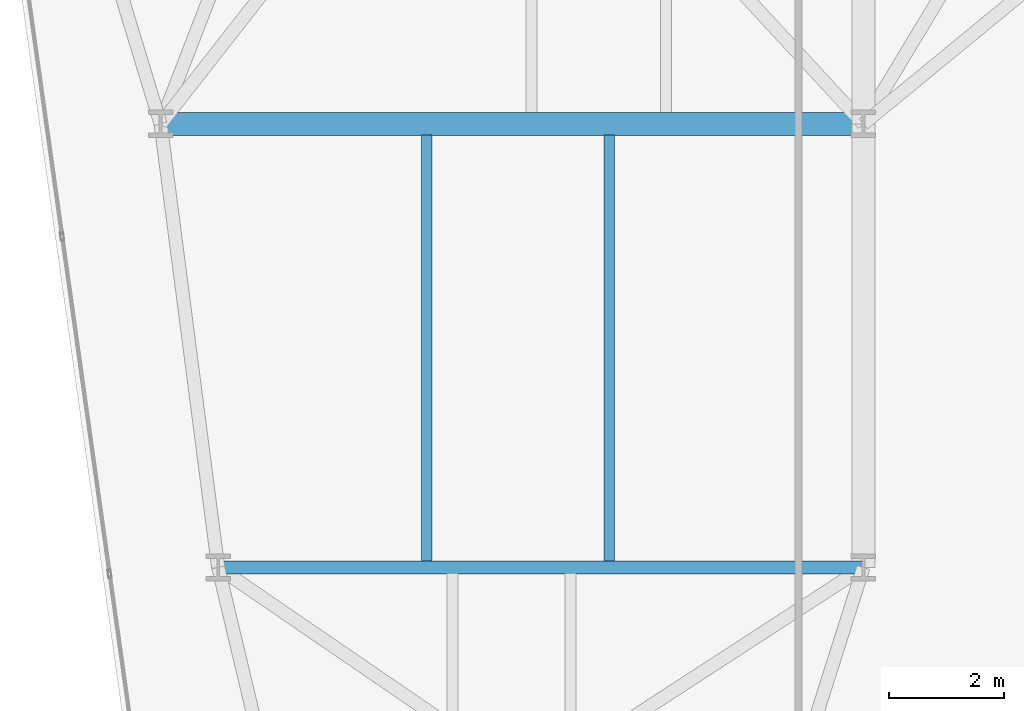
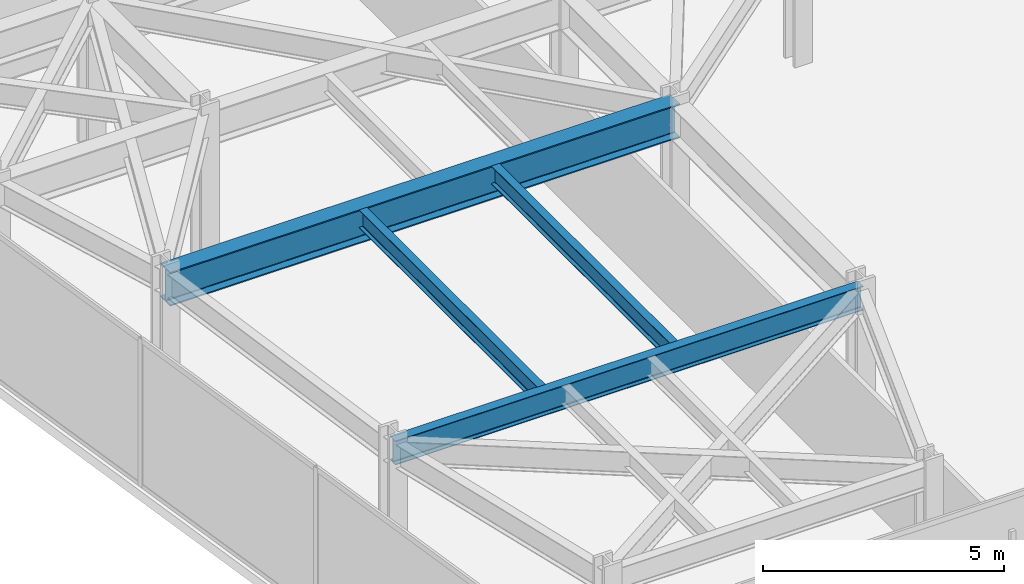
# One storey, part 6 of 26: 4 beams.
"""IFC4 building model written with IfcOpenShell, lengths in metres."""

from ifc_helpers import new_model, si_unit, direction, frame, origin, origin_2d, place, context, subcontext, project, spatial, i_section, extrude, material, material_profile, profile_set, type_object, element, save


model = new_model("IFC4")

# Units and contexts
model_context = context("Model", 3, precision=1e-05, world=origin(), true_north=direction((0.0, 1.0)))
body_context = subcontext(model_context, "Body", "Model", "MODEL_VIEW")
ifc_project = project(units=[si_unit("LENGTHUNIT", "METRE"), si_unit("AREAUNIT", "SQUARE_METRE"), si_unit("VOLUMEUNIT", "CUBIC_METRE"), si_unit("PLANEANGLEUNIT", "RADIAN"), si_unit("MASSUNIT", "GRAM", prefix="KILO")], contexts=[model_context])

# Site, building, storey
site_placement = place(None, origin())
site = spatial("IfcSite", under=ifc_project, at=site_placement, CompositionType="ELEMENT")
building_placement = place(site_placement, origin())
building = spatial("IfcBuilding", under=site, at=building_placement, Name="Kravanh Interchange Tower", CompositionType="ELEMENT")
storey_placement = place(building_placement, frame((0.0, 0.0, 120.0)))
storey = spatial("IfcBuildingStorey", under=building, at=storey_placement, Name="L28", CompositionType="ELEMENT", Elevation=120.0)

# Beams
ifc_material_1 = material(Name="Structural Steel S355", Category="steel")
ifc_material_profile_1 = material_profile(ifc_material_1, i_section(OverallWidth=0.39990234375, OverallDepth=0.85595703125, WebThickness=0.018310546875, FlangeThickness=0.029296875, FilletRadius=0.02490234375, at=origin_2d()), Name="W33X201")
ifc_profile_set_1 = profile_set([ifc_material_profile_1], Name="Structural Steel S355")
beam_type_1 = type_object("IfcBeamType", Name="Floor Beam W33X201 Structural Steel S355", PredefinedType="BEAM", material=ifc_profile_set_1)
beam_1_placement = place(storey_placement, frame((15.0, 22.199951171875, 3.322021484375), z_axis=(1.0, 0.0, 0.0), x_axis=(0.0, 1.0, 0.0)))
element("IfcBeam", 1, at=beam_1_placement, inside=storey, type_object=beam_type_1, Name="L28 Primary Floor Girder 108", PredefinedType="BEAM", context=body_context, shape_type="SweptSolid", body=[
    extrude(i_section(OverallWidth=0.39990234375, OverallDepth=0.85595703125, WebThickness=0.018310546875, FlangeThickness=0.029296875, FilletRadius=0.02490234375, at=origin_2d()), origin(), (0.0, 0.0, 1.0), 12.199951171875),
])
ifc_material_2 = material(Name="Structural Steel S355", Category="steel")
ifc_material_profile_2 = material_profile(ifc_material_2, i_section(OverallWidth=0.18994140625, OverallDepth=0.45703125, WebThickness=0.009033203125, FlangeThickness=0.014404296875, FilletRadius=0.01806640625, at=origin_2d()), Name="W18X50")
ifc_profile_set_2 = profile_set([ifc_material_profile_2], Name="Structural Steel S355")
beam_type_2 = type_object("IfcBeamType", Name="Floor Joist W18X50 Structural Steel S355", PredefinedType="JOIST", material=ifc_profile_set_2)
for number, where, z_axis, x_axis, name in (
    (2, (19.6201171875, 14.60888671875, 3.521484375), (0.0, 1.0, 0.0), (-1.0, 0.0, 0.0), "L28 Secondary Floor Joist 5"),
    (3, (22.7880859375, 14.60888671875, 3.521484375), (0.0, 1.0, 0.0), (-1.0, 0.0, 0.0), "L28 Secondary Floor Joist 6"),
):
    element("IfcBeam", number, at=place(storey_placement, frame(where, z_axis=z_axis, x_axis=x_axis)), inside=storey, type_object=beam_type_2, Name=name, PredefinedType="JOIST", context=body_context, shape_type="SweptSolid", body=[
        extrude(i_section(OverallWidth=0.18994140625, OverallDepth=0.45703125, WebThickness=0.009033203125, FlangeThickness=0.014404296875, FilletRadius=0.01806640625, at=origin_2d()), origin(), (0.0, 0.0, 1.0), 7.39599609375),
    ])
ifc_material_3 = material(Name="Structural Steel S355", Category="steel")
ifc_material_profile_3 = material_profile(ifc_material_3, i_section(OverallWidth=0.22802734375, OverallDepth=0.60791015625, WebThickness=0.01123046875, FlangeThickness=0.017333984375, FilletRadius=0.02197265625, at=origin_2d()), Name="W24X76")
ifc_profile_set_3 = profile_set([ifc_material_profile_3], Name="Structural Steel S355")
beam_type_3 = type_object("IfcBeamType", Name="Floor Spandrel W24X76 Structural Steel S355", PredefinedType="SPANDREL", material=ifc_profile_set_3)
beam_2_placement = place(storey_placement, frame((16.0, 14.5, 3.446044921875), z_axis=(1.0, 0.0, 0.0), x_axis=(0.0, 1.0, 0.0)))
element("IfcBeam", 4, at=beam_2_placement, inside=storey, type_object=beam_type_3, Name="L28 Perimeter Spandrel 101", PredefinedType="SPANDREL", context=body_context, shape_type="SweptSolid", body=[
    extrude(i_section(OverallWidth=0.22802734375, OverallDepth=0.60791015625, WebThickness=0.01123046875, FlangeThickness=0.017333984375, FilletRadius=0.02197265625, at=origin_2d()), origin(), (0.0, 0.0, 1.0), 11.199951171875),
])

save(model, "model.ifc")
